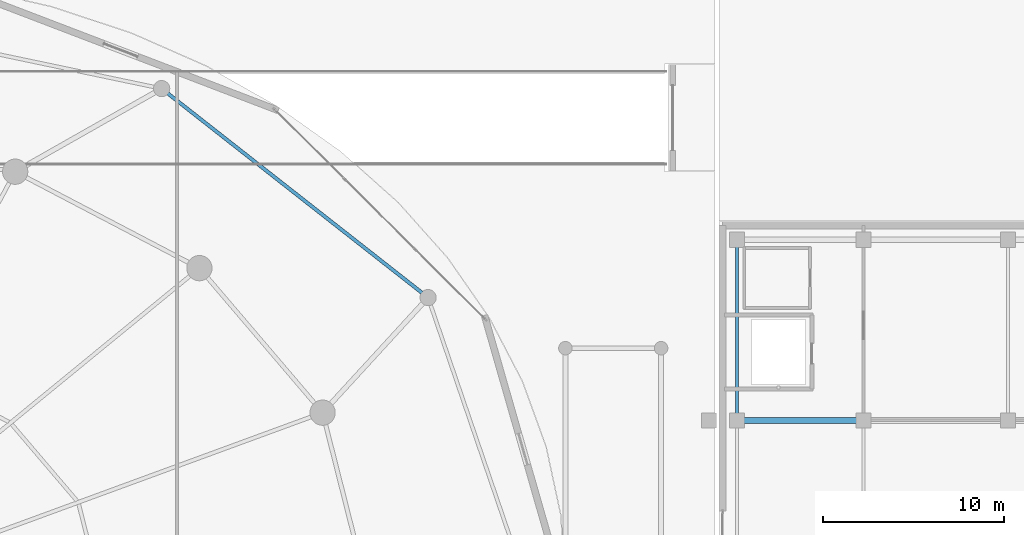
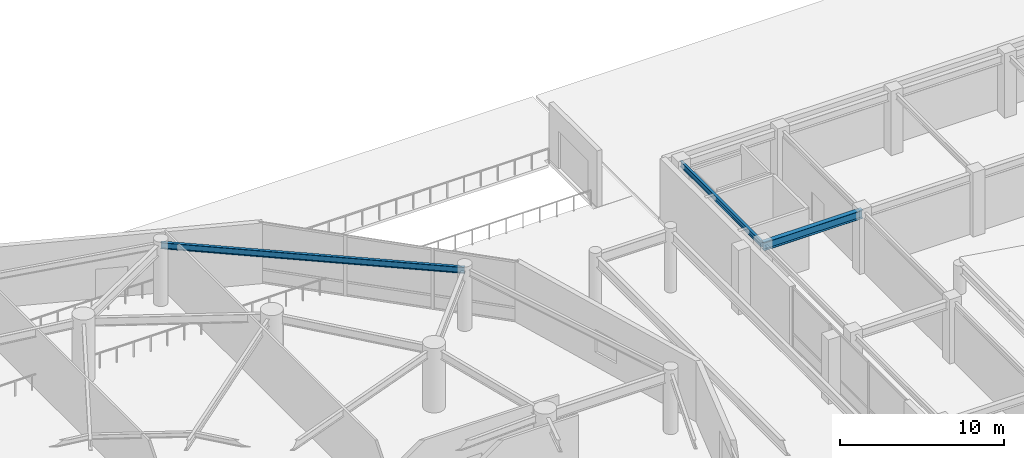
# One storey, part 15 of 35: 3 beams.
"""IFC4 building model written with IfcOpenShell, lengths in metres."""

from ifc_helpers import new_model, si_unit, direction, frame, origin, origin_2d, place, context, subcontext, project, spatial, i_section, extrude, material, material_profile, profile_set, type_object, element, save


model = new_model("IFC4")

# Units and contexts
model_context = context("Model", 3, precision=1e-05, world=origin(), true_north=direction((0.0, 1.0)))
body_context = subcontext(model_context, "Body", "Model", "MODEL_VIEW")
ifc_project = project(units=[si_unit("LENGTHUNIT", "METRE"), si_unit("AREAUNIT", "SQUARE_METRE"), si_unit("VOLUMEUNIT", "CUBIC_METRE"), si_unit("PLANEANGLEUNIT", "RADIAN"), si_unit("MASSUNIT", "GRAM", prefix="KILO")], contexts=[model_context])

# Site, building, storey
site_placement = place(None, origin())
site = spatial("IfcSite", under=ifc_project, at=site_placement, CompositionType="ELEMENT")
building_placement = place(site_placement, origin())
building = spatial("IfcBuilding", under=site, at=building_placement, Name="Kazevale Care Tower and Concert Hall", CompositionType="ELEMENT")
storey_placement = place(building_placement, origin())
storey = spatial("IfcBuildingStorey", under=building, at=storey_placement, Name="L00", CompositionType="ELEMENT", Elevation=0.0)

# Beams
ifc_material = material(Name="Steel ASTM A572 Gr 50", Category="steel")
ifc_material_profile_1 = material_profile(ifc_material, i_section(OverallWidth=0.323974609375, OverallDepth=0.611083984375, WebThickness=0.0126953125, FlangeThickness=0.01904296875, at=origin_2d()), Name="W610x155")
ifc_profile_set_1 = profile_set([ifc_material_profile_1], Name="Steel ASTM A572 Gr 50")
beam_type_1 = type_object("IfcBeamType", Name="Concert Hall Frame Girder W610x155", PredefinedType="BEAM", material=ifc_profile_set_1)
beam_1_placement = place(storey_placement, frame((97.0, 47.0, 4.214599609375), z_axis=(1.0, 0.0, 0.0), x_axis=(0.0, 1.0, 0.0)))
element("IfcBeam", 1, at=beam_1_placement, inside=storey, type_object=beam_type_1, Name="beam:L00:hx:97_47", PredefinedType="BEAM", context=body_context, shape_type="SweptSolid", body=[
    extrude(i_section(OverallWidth=0.323974609375, OverallDepth=0.611083984375, WebThickness=0.0126953125, FlangeThickness=0.01904296875, at=origin_2d()), origin(), (0.0, 0.0, 1.0), 7.0),
])
ifc_material_profile_2 = material_profile(ifc_material, i_section(OverallWidth=0.180908203125, OverallDepth=0.4169921875, WebThickness=0.010986328125, FlangeThickness=0.018310546875, at=origin_2d()), Name="W410x85")
ifc_profile_set_2 = profile_set([ifc_material_profile_2], Name="Steel ASTM A572 Gr 50")
beam_type_2 = type_object("IfcBeamType", Name="Concert Hall Secondary Beam W410x85", PredefinedType="BEAM", material=ifc_profile_set_2)
beam_2_placement = place(storey_placement, frame((97.0, 47.0, 4.3115234375), z_axis=(0.0, 1.0, 0.0), x_axis=(-1.0, 0.0, 0.0)))
element("IfcBeam", 2, at=beam_2_placement, inside=storey, type_object=beam_type_2, Name="beam:L00:hy:97_47", PredefinedType="BEAM", context=body_context, shape_type="SweptSolid", body=[
    extrude(i_section(OverallWidth=0.180908203125, OverallDepth=0.4169921875, WebThickness=0.010986328125, FlangeThickness=0.018310546875, at=origin_2d()), origin(), (0.0, 0.0, 1.0), 10.0),
])
ifc_material_profile_3 = material_profile(ifc_material, i_section(OverallWidth=0.194091796875, OverallDepth=0.468994140625, WebThickness=0.0126953125, FlangeThickness=0.0205078125, at=origin_2d()), Name="W460x106")
ifc_profile_set_3 = profile_set([ifc_material_profile_3], Name="Steel ASTM A572 Gr 50")
beam_type_3 = type_object("IfcBeamType", Name="Podium Floor Beam W460x106", PredefinedType="BEAM", material=ifc_profile_set_3)
beam_3_placement = place(storey_placement, frame((79.89990234375, 53.800048828125, 4.285400390625), z_axis=(-0.786816091325, 0.617187522907, 0.0), x_axis=(-0.617187522907, -0.786816091325, 0.0)))
element("IfcBeam", 3, at=beam_3_placement, inside=storey, type_object=beam_type_3, Name="beam:L00:podring:02", PredefinedType="BEAM", context=body_context, shape_type="SweptSolid", body=[
    extrude(i_section(OverallWidth=0.194091796875, OverallDepth=0.468994140625, WebThickness=0.0126953125, FlangeThickness=0.0205078125, at=origin_2d()), origin(), (0.0, 0.0, 1.0), 18.746337890625),
])

save(model, "model.ifc")
